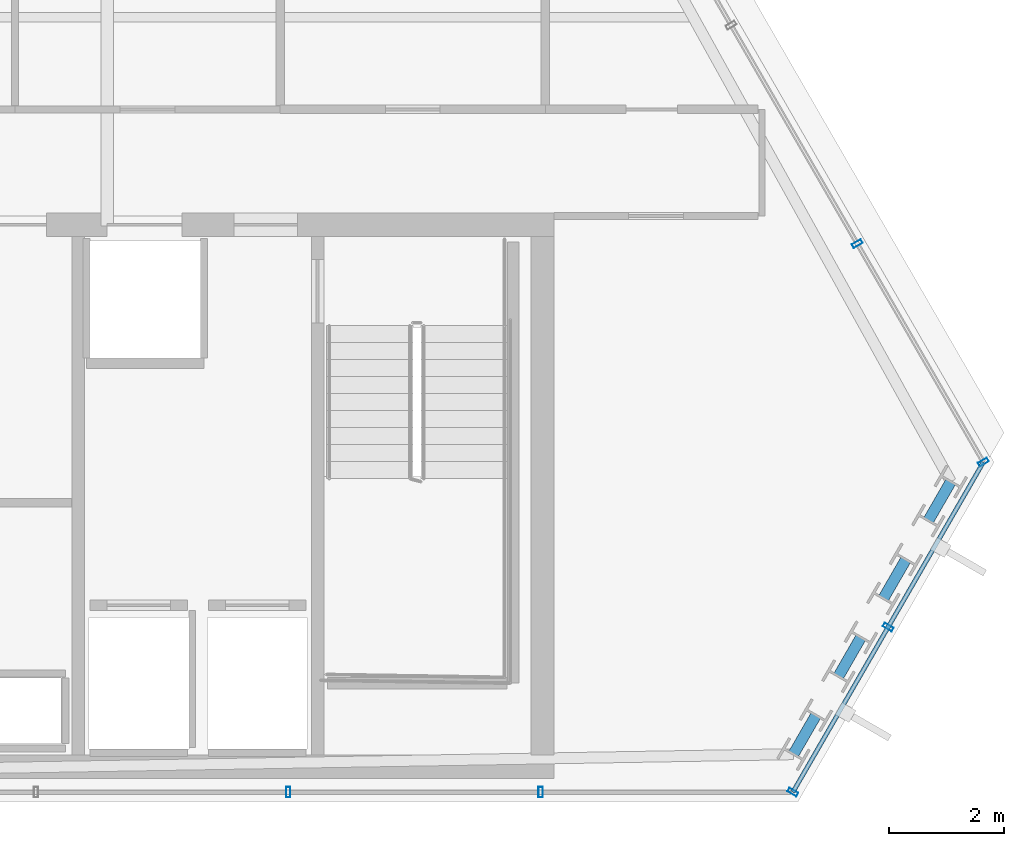
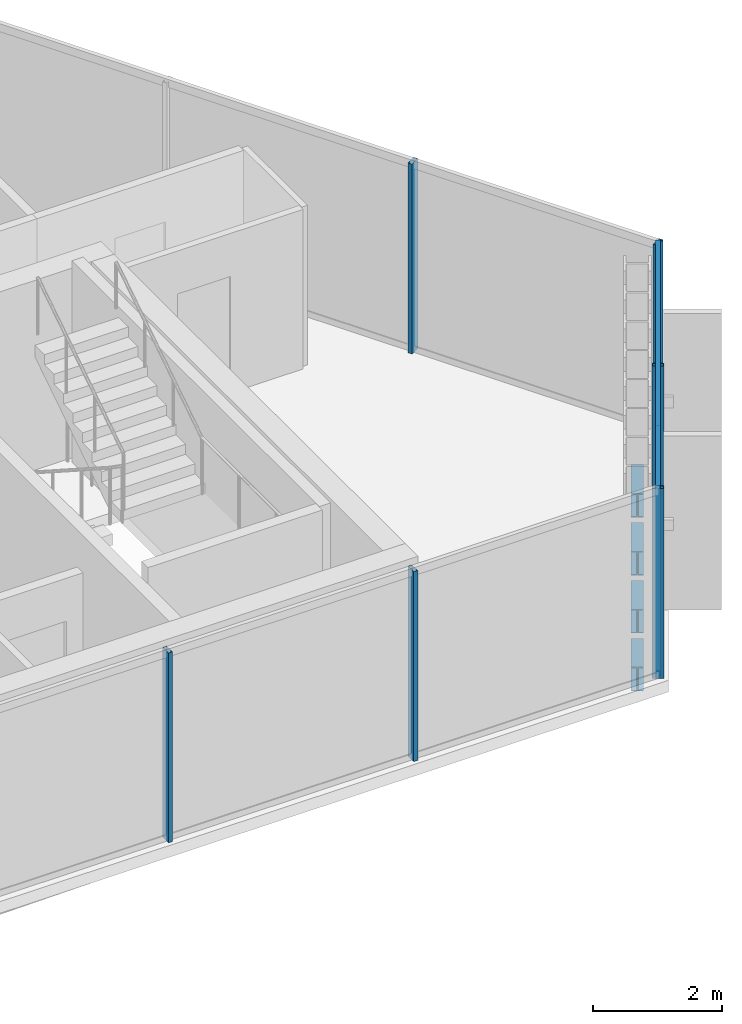
# One storey, part 14 of 29: 8 members, 4 beams, 3 elements without a shape of their own.
"""IFC4 building model written with IfcOpenShell, lengths in metres."""

from ifc_helpers import new_model, si_unit, direction, frame, origin, origin_2d, place, context, subcontext, project, spatial, hollow_rectangle, i_section, extrude, material, layer, layer_set, material_profile, profile_set, type_object, element, aggregate, save


model = new_model("IFC4")

# Units and contexts
model_context = context("Model", 3, precision=1e-05, world=origin(), true_north=direction((0.0, 1.0)))
body_context = subcontext(model_context, "Body", "Model", "MODEL_VIEW")
ifc_project = project(units=[si_unit("LENGTHUNIT", "METRE"), si_unit("AREAUNIT", "SQUARE_METRE"), si_unit("VOLUMEUNIT", "CUBIC_METRE"), si_unit("PLANEANGLEUNIT", "RADIAN"), si_unit("MASSUNIT", "GRAM", prefix="KILO")], contexts=[model_context])

# Site, building, storey
site_placement = place(None, origin())
site = spatial("IfcSite", under=ifc_project, at=site_placement, CompositionType="ELEMENT")
building_placement = place(site_placement, origin())
building = spatial("IfcBuilding", under=site, at=building_placement, Name="Ndaravel Arena Tower", CompositionType="ELEMENT")
storey_placement = place(building_placement, frame((0.0, 0.0, 240.800048828125)))
storey = spatial("IfcBuildingStorey", under=building, at=storey_placement, Name="L58", CompositionType="ELEMENT", Elevation=240.800048828125)

# Beams
ifc_material_1 = material(Name="Steel S355", Category="steel")
ifc_material_profile_1 = material_profile(ifc_material_1, i_section(OverallWidth=0.18994140625, OverallDepth=0.449951171875, WebThickness=0.009521484375, FlangeThickness=0.0146484375, FilletRadius=0.02099609375, at=origin_2d()), Name="IPE 450")
ifc_profile_set_1 = profile_set([ifc_material_profile_1], Name="Steel S355")
beam_type = type_object("IfcBeamType", Name="BM-SPAN-IPE450", PredefinedType="SPANDREL", material=ifc_profile_set_1)
for number, where, z_axis, x_axis, name in (
    (1, (61.7021484375, 5.817626953125, -0.445068359375), (0.500011542666, 0.866018739521, 0.0), (-0.866018739521, 0.500011542666, 0.0), "L58 Perimeter Spandrel Beam SP-02"),
    (2, (62.48193359375, 7.168212890625, -0.445068359375), (0.500011542666, 0.866018739521, 0.0), (-0.866018739521, 0.500011542666, 0.0), "L58 Perimeter Spandrel Beam SP-04"),
    (3, (63.26171875, 8.5185546875, -0.445068359375), (0.500011542666, 0.866018739521, 0.0), (-0.866018739521, 0.500011542666, 0.0), "L58 Perimeter Spandrel Beam SP-06"),
    (4, (64.041259765625, 9.869140625, -0.445068359375), (0.500011542666, 0.866018739521, 0.0), (-0.866018739521, 0.500011542666, 0.0), "L58 Perimeter Spandrel Beam SP-08"),
):
    element("IfcBeam", number, at=place(storey_placement, frame(where, z_axis=z_axis, x_axis=x_axis)), inside=storey, type_object=beam_type, Name=name, PredefinedType="SPANDREL", context=body_context, shape_type="SweptSolid", body=[
        extrude(i_section(OverallWidth=0.18994140625, OverallDepth=0.449951171875, WebThickness=0.009521484375, FlangeThickness=0.0146484375, FilletRadius=0.02099609375, at=origin_2d()), origin(), (0.0, 0.0, 1.0), 0.77978515625),
    ])

# Curtain wall, members
ifc_material_2 = material(Name="Aluminium", Category="aluminium")
ifc_layer_1 = layer(ifc_material_2, 0.179931640625)
ifc_layer_set_1 = layer_set([ifc_layer_1], Name="Aluminium")
curtain_wall_type_1 = type_object("IfcCurtainWallType", Name="CW-SYS-03", PredefinedType="NOTDEFINED", material=ifc_layer_set_1)
curtain_wall_1_placement = place(storey_placement, origin())
curtain_wall_1 = element("IfcCurtainWall", 5, at=curtain_wall_1_placement, inside=storey, type_object=curtain_wall_type_1, Name="L58 Faceted Crystal Curtain Wall CW-L58-E01", PredefinedType="NOTDEFINED")
ifc_material_3 = material(Name="Aluminium", Category="aluminium")
ifc_material_profile_2 = material_profile(ifc_material_3, hollow_rectangle(XDim=0.074951171875, YDim=0.179931640625, WallThickness=0.00390625, at=origin_2d()), Name="CW MULLION 75x180x4")
ifc_profile_set_2 = profile_set([ifc_material_profile_2], Name="Aluminium")
member_type_1 = type_object("IfcMemberType", Name="MEM-CW-MUL180", PredefinedType="MULLION", material=ifc_profile_set_2)
member_1_placement = place(storey_placement, frame((52.93994140625, 5.159912109375, 0.0), z_axis=(0.0, 0.0, 1.0), x_axis=(1.0, 0.0, 0.0)))
member_1 = element("IfcMember", 6, at=member_1_placement, type_object=member_type_1, Name="CW-L58-E01 Mullion 07", PredefinedType="MULLION", context=body_context, shape_type="SweptSolid", body=[
    extrude(hollow_rectangle(XDim=0.074951171875, YDim=0.179931640625, WallThickness=0.00390625, at=origin_2d()), origin(), (0.0, 0.0, 1.0), 3.579833984375),
])
member_2_placement = place(storey_placement, frame((57.31591796875, 5.159912109375, 0.0), z_axis=(0.0, 0.0, 1.0), x_axis=(1.0, 0.0, 0.0)))
member_2 = element("IfcMember", 7, at=member_2_placement, type_object=member_type_1, Name="CW-L58-E01 Mullion 08", PredefinedType="MULLION", context=body_context, shape_type="SweptSolid", body=[
    extrude(hollow_rectangle(XDim=0.074951171875, YDim=0.179931640625, WallThickness=0.00390625, at=origin_2d()), origin(), (0.0, 0.0, 1.0), 3.579833984375),
])
aggregate(curtain_wall_1, [member_1, member_2])

ifc_material_4 = material(Name="Aluminium", Category="aluminium")
ifc_layer_2 = layer(ifc_material_4, 0.179931640625)
ifc_layer_set_2 = layer_set([ifc_layer_2], Name="Aluminium")
curtain_wall_type_2 = type_object("IfcCurtainWallType", Name="CW-SYS-01", PredefinedType="NOTDEFINED", material=ifc_layer_set_2)
curtain_wall_2_placement = place(storey_placement, origin())
curtain_wall_2 = element("IfcCurtainWall", 8, at=curtain_wall_2_placement, inside=storey, type_object=curtain_wall_type_2, Name="L58 Faceted Crystal Curtain Wall CW-L58-E02", PredefinedType="NOTDEFINED")
member_3_placement = place(storey_placement, frame((61.69189453125, 5.159912109375, 0.0), z_axis=(0.0, 0.0, 1.0), x_axis=(0.5, 0.866025403784, 0.0)))
member_3 = element("IfcMember", 9, at=member_3_placement, type_object=member_type_1, Name="CW-L58-E02 Mullion 00", PredefinedType="MULLION", context=body_context, shape_type="SweptSolid", body=[
    extrude(hollow_rectangle(XDim=0.074951171875, YDim=0.179931640625, WallThickness=0.00390625, at=origin_2d()), origin(), (0.0, 0.0, 1.0), 3.579833984375),
])
member_4_placement = place(storey_placement, frame((63.34375, 8.02099609375, 0.0), z_axis=(0.0, 0.0, 1.0), x_axis=(0.5, 0.866025403784, 0.0)))
member_4 = element("IfcMember", 10, at=member_4_placement, type_object=member_type_1, Name="CW-L58-E02 Mullion 01", PredefinedType="MULLION", context=body_context, shape_type="SweptSolid", body=[
    extrude(hollow_rectangle(XDim=0.074951171875, YDim=0.179931640625, WallThickness=0.00390625, at=origin_2d()), origin(), (0.0, 0.0, 1.0), 3.579833984375),
])

curtain_wall_3_placement = place(storey_placement, origin())
curtain_wall_3 = element("IfcCurtainWall", 11, at=curtain_wall_3_placement, inside=storey, type_object=curtain_wall_type_1, Name="L58 Faceted Crystal Curtain Wall CW-L58-E03", PredefinedType="NOTDEFINED")
member_5_placement = place(storey_placement, frame((64.99560546875, 10.882080078125, 0.0), z_axis=(0.0, 0.0, 1.0), x_axis=(-0.5, 0.866025403784, 0.0)))
member_5 = element("IfcMember", 12, at=member_5_placement, type_object=member_type_1, Name="CW-L58-E03 Mullion 00", PredefinedType="MULLION", context=body_context, shape_type="SweptSolid", body=[
    extrude(hollow_rectangle(XDim=0.074951171875, YDim=0.179931640625, WallThickness=0.00390625, at=origin_2d()), origin(), (0.0, 0.0, 1.0), 3.579833984375),
])
member_6_placement = place(storey_placement, frame((62.8076171875, 14.671630859375, 0.0), z_axis=(0.0, 0.0, 1.0), x_axis=(-0.5, 0.866025403784, 0.0)))
member_6 = element("IfcMember", 13, at=member_6_placement, type_object=member_type_1, Name="CW-L58-E03 Mullion 01", PredefinedType="MULLION", context=body_context, shape_type="SweptSolid", body=[
    extrude(hollow_rectangle(XDim=0.074951171875, YDim=0.179931640625, WallThickness=0.00390625, at=origin_2d()), origin(), (0.0, 0.0, 1.0), 3.579833984375),
])
aggregate(curtain_wall_3, [member_5, member_6])

# Member
ifc_material_5 = material(Name="Aluminium", Category="aluminium")
ifc_material_profile_3 = material_profile(ifc_material_5, hollow_rectangle(XDim=0.074951171875, YDim=0.14990234375, WallThickness=0.00390625, at=origin_2d()), Name="CW TRANSOM 75x150x4")
ifc_profile_set_3 = profile_set([ifc_material_profile_3], Name="Aluminium")
member_type_2 = type_object("IfcMemberType", Name="MEM-CW-TRN150", PredefinedType="USERDEFINED", material=ifc_profile_set_3)
member_7_placement = place(storey_placement, frame((61.69189453125, 5.159912109375, 0.0400390625), z_axis=(0.500001784407, 0.866024373554, 0.0), x_axis=(-0.866024373554, 0.500001784407, 0.0)))
member_7 = element("IfcMember", 14, at=member_7_placement, type_object=member_type_2, Name="CW-L58-E02 Transom 01", ObjectType="TRANSOM", PredefinedType="USERDEFINED", context=body_context, shape_type="SweptSolid", body=[
    extrude(hollow_rectangle(XDim=0.074951171875, YDim=0.14990234375, WallThickness=0.00390625, at=origin_2d()), origin(), (0.0, 0.0, 1.0), 6.607421875),
])

member_8_placement = place(storey_placement, frame((61.69189453125, 5.159912109375, 3.5400390625), z_axis=(0.500001784407, 0.866024373554, 0.0), x_axis=(-0.866024373554, 0.500001784407, 0.0)))
member_8 = element("IfcMember", 15, at=member_8_placement, type_object=member_type_2, Name="CW-L58-E02 Transom 02", ObjectType="TRANSOM", PredefinedType="USERDEFINED", context=body_context, shape_type="SweptSolid", body=[
    extrude(hollow_rectangle(XDim=0.074951171875, YDim=0.14990234375, WallThickness=0.00390625, at=origin_2d()), origin(), (0.0, 0.0, 1.0), 6.607421875),
])

aggregate(curtain_wall_2, [member_3, member_4, member_7, member_8])

save(model, "model.ifc")
